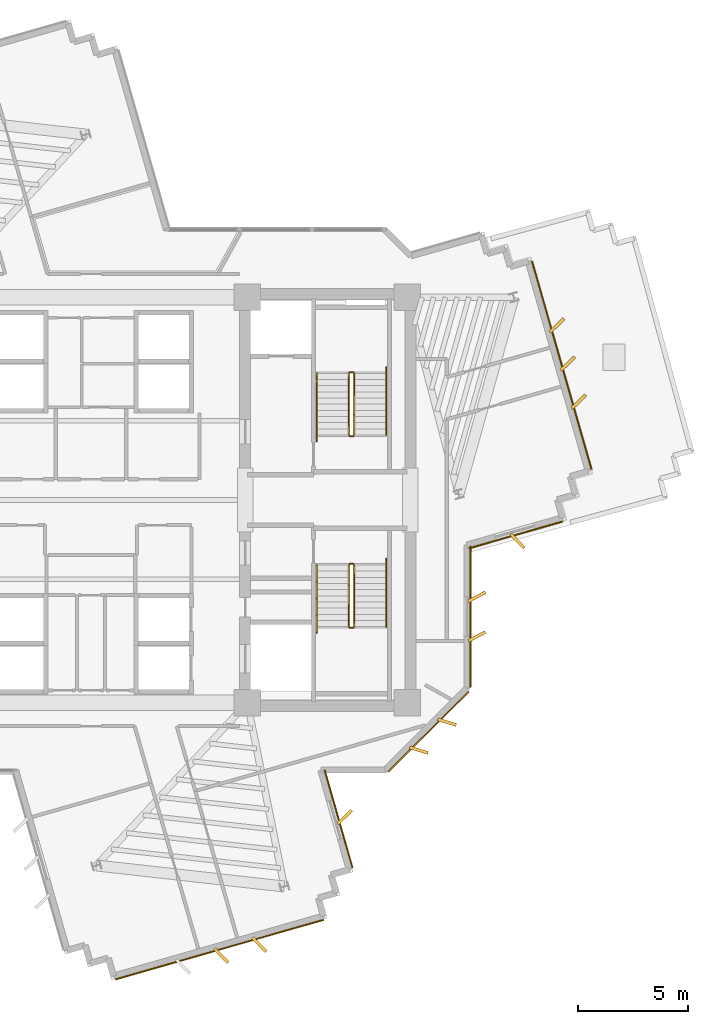
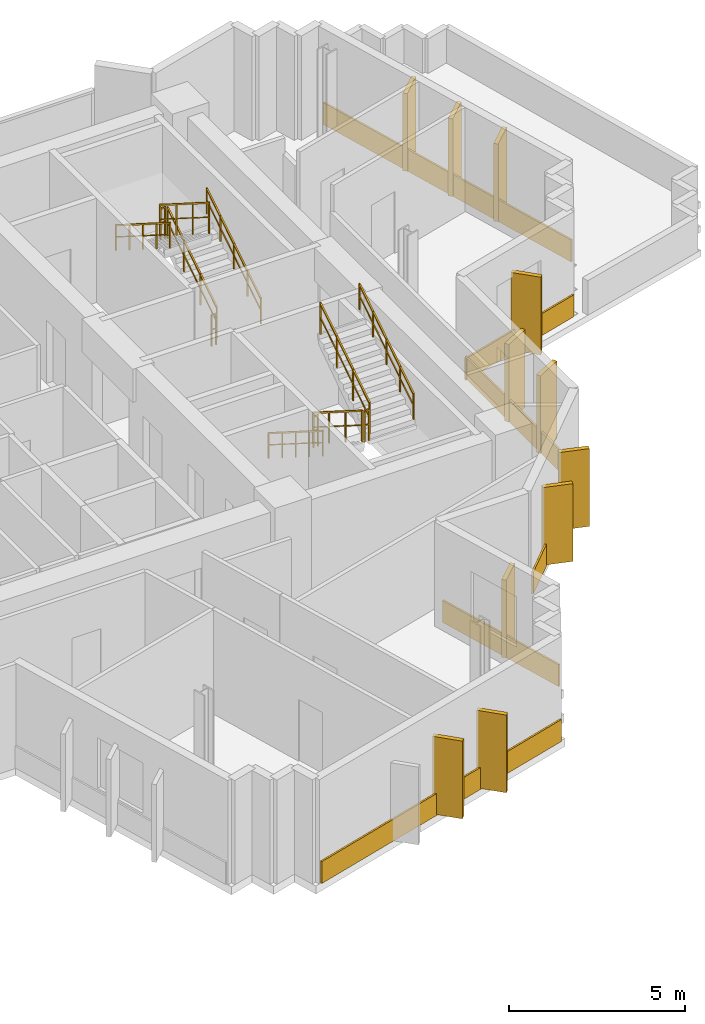
# One storey, part 13 of 14: 17 coverings, 12 railings.
"""IFC4 building model written with IfcOpenShell, lengths in metres."""

from ifc_helpers import new_model, si_unit, direction, frame, origin, origin_2d, place, context, subcontext, project, spatial, rectangle, extrude, source, transform, mapped, material, layer, layer_set, type_object, element, save


model = new_model("IFC4")

# Units and contexts
model_context = context("Model", 3, precision=1e-05, world=origin(), true_north=direction((0.0, 1.0)))
body_context = subcontext(model_context, "Body", "Model", "MODEL_VIEW")
ifc_project = project(units=[si_unit("LENGTHUNIT", "METRE"), si_unit("AREAUNIT", "SQUARE_METRE"), si_unit("VOLUMEUNIT", "CUBIC_METRE"), si_unit("PLANEANGLEUNIT", "RADIAN"), si_unit("MASSUNIT", "GRAM", prefix="KILO")], contexts=[model_context])

# Site, building, storey
site_placement = place(None, origin())
site = spatial("IfcSite", under=ifc_project, at=site_placement, CompositionType="ELEMENT")
building_placement = place(site_placement, origin())
building = spatial("IfcBuilding", under=site, at=building_placement, Name="Zahravan Cultural Tower", CompositionType="ELEMENT")
storey_placement = place(building_placement, frame((0.0, 0.0, 201.89990234375)))
storey = spatial("IfcBuildingStorey", under=building, at=storey_placement, Name="L47", CompositionType="ELEMENT", Elevation=201.89990234375)

# Railings
ifc_material_1 = material(Name="Steel ASTM A572 Grade 50", Category="steel")
railing_type_1 = type_object("IfcRailingType", Name="RL-STAIR-GRD1150", PredefinedType="BALUSTRADE", material=ifc_material_1)
railing_1_placement = place(storey_placement, frame((47.949951171875, 29.949951171875, 0.177490234375)))
element("IfcRailing", 1, at=railing_1_placement, inside=storey, type_object=railing_type_1, Name="L47 ST-E1 stair guard 1", PredefinedType="BALUSTRADE", context=body_context, shape_type="SweptSolid", body=[
    extrude(rectangle(XDim=0.05, YDim=0.05, at=origin_2d()), frame((0.0, 0.0, 1.0751953125), z_axis=(0.0, 0.844908973607, 0.534910110503), x_axis=(-1.0, 0.0, 0.0)), (0.0, 0.0, 1.0), 3.31396484375),
    extrude(rectangle(XDim=0.032, YDim=0.032, at=origin_2d()), frame((0.0, 0.0, 0.572021484375), z_axis=(0.0, 0.844908973607, 0.534910110503), x_axis=(-1.0, 0.0, 0.0)), (0.0, 0.0, 1.0), 3.31396484375),
    extrude(rectangle(XDim=0.04, YDim=0.04, at=origin_2d()), origin(), (0.0, 0.0, 1.0), 1.10009765625),
    extrude(rectangle(XDim=0.04, YDim=0.04, at=origin_2d()), frame((0.0, 0.933349609375, 0.5908203125)), (0.0, 0.0, 1.0), 1.10009765625),
    extrude(rectangle(XDim=0.04, YDim=0.04, at=origin_2d()), frame((0.0, 1.86669921875, 1.181884765625)), (0.0, 0.0, 1.0), 1.10009765625),
    extrude(rectangle(XDim=0.04, YDim=0.04, at=origin_2d()), frame((0.0, 2.800048828125, 1.772705078125)), (0.0, 0.0, 1.0), 1.10009765625),
])
railing_2_placement = place(storey_placement, frame((47.89990234375, 32.800048828125, 1.9501953125)))
element("IfcRailing", 2, at=railing_2_placement, inside=storey, type_object=railing_type_1, Name="L47 ST-E1 stair guard 2", PredefinedType="BALUSTRADE", context=body_context, shape_type="SweptSolid", body=[
    extrude(rectangle(XDim=0.05, YDim=0.05, at=origin_2d()), frame((0.0, 0.0, 1.0751953125), z_axis=(-1.0, 0.0, 0.0), x_axis=(0.0, -1.0, 0.0)), (0.0, 0.0, 1.0), 0.14990234375),
    extrude(rectangle(XDim=0.032, YDim=0.032, at=origin_2d()), frame((0.0, 0.0, 0.572021484375), z_axis=(-1.0, 0.0, 0.0), x_axis=(0.0, -1.0, 0.0)), (0.0, 0.0, 1.0), 0.14990234375),
    extrude(rectangle(XDim=0.04, YDim=0.04, at=origin_2d()), origin(), (0.0, 0.0, 1.0), 1.10009765625),
    extrude(rectangle(XDim=0.04, YDim=0.04, at=origin_2d()), frame((-0.14990234375, 0.0, 0.0)), (0.0, 0.0, 1.0), 1.10009765625),
])
railing_3_placement = place(storey_placement, frame((47.699951171875, 32.75, 2.12744140625)))
element("IfcRailing", 3, at=railing_3_placement, inside=storey, type_object=railing_type_1, Name="L47 ST-E1 stair guard 3", PredefinedType="BALUSTRADE", context=body_context, shape_type="SweptSolid", body=[
    extrude(rectangle(XDim=0.05, YDim=0.05, at=origin_2d()), frame((0.0, 0.0, 1.0751953125), z_axis=(0.0, -0.844908973607, 0.534910110503), x_axis=(1.0, 0.0, 0.0)), (0.0, 0.0, 1.0), 3.31396484375),
    extrude(rectangle(XDim=0.032, YDim=0.032, at=origin_2d()), frame((0.0, 0.0, 0.572021484375), z_axis=(0.0, -0.844908973607, 0.534910110503), x_axis=(1.0, 0.0, 0.0)), (0.0, 0.0, 1.0), 3.31396484375),
    extrude(rectangle(XDim=0.04, YDim=0.04, at=origin_2d()), origin(), (0.0, 0.0, 1.0), 1.10009765625),
    extrude(rectangle(XDim=0.04, YDim=0.04, at=origin_2d()), frame((0.0, -0.933349609375, 0.5908203125)), (0.0, 0.0, 1.0), 1.10009765625),
    extrude(rectangle(XDim=0.04, YDim=0.04, at=origin_2d()), frame((0.0, -1.86669921875, 1.181884765625)), (0.0, 0.0, 1.0), 1.10009765625),
    extrude(rectangle(XDim=0.04, YDim=0.04, at=origin_2d()), frame((0.0, -2.800048828125, 1.772705078125)), (0.0, 0.0, 1.0), 1.10009765625),
])
railing_4_placement = place(storey_placement, frame((47.89990234375, 29.89990234375, 0.0)))
element("IfcRailing", 4, at=railing_4_placement, inside=storey, type_object=railing_type_1, Name="L47 ST-E1 stair guard 4", PredefinedType="BALUSTRADE", context=body_context, shape_type="SweptSolid", body=[
    extrude(rectangle(XDim=0.05, YDim=0.05, at=origin_2d()), frame((0.0, 0.0, 1.0751953125), z_axis=(-1.0, 0.0, 0.0), x_axis=(0.0, -1.0, 0.0)), (0.0, 0.0, 1.0), 0.14990234375),
    extrude(rectangle(XDim=0.032, YDim=0.032, at=origin_2d()), frame((0.0, 0.0, 0.572021484375), z_axis=(-1.0, 0.0, 0.0), x_axis=(0.0, -1.0, 0.0)), (0.0, 0.0, 1.0), 0.14990234375),
    extrude(rectangle(XDim=0.04, YDim=0.04, at=origin_2d()), origin(), (0.0, 0.0, 1.0), 1.10009765625),
    extrude(rectangle(XDim=0.04, YDim=0.04, at=origin_2d()), frame((-0.14990234375, 0.0, 0.0)), (0.0, 0.0, 1.0), 1.10009765625),
])
railing_5_placement = place(storey_placement, frame((47.699951171875, 24.050048828125, 0.177490234375)))
element("IfcRailing", 5, at=railing_5_placement, inside=storey, type_object=railing_type_1, Name="L47 ST-E2 stair guard 1", PredefinedType="BALUSTRADE", context=body_context, shape_type="SweptSolid", body=[
    extrude(rectangle(XDim=0.05, YDim=0.05, at=origin_2d()), frame((0.0, 0.0, 1.0751953125), z_axis=(0.0, -0.844908973607, 0.534910110503), x_axis=(1.0, 0.0, 0.0)), (0.0, 0.0, 1.0), 3.31396484375),
    extrude(rectangle(XDim=0.032, YDim=0.032, at=origin_2d()), frame((0.0, 0.0, 0.572021484375), z_axis=(0.0, -0.844908973607, 0.534910110503), x_axis=(1.0, 0.0, 0.0)), (0.0, 0.0, 1.0), 3.31396484375),
    extrude(rectangle(XDim=0.04, YDim=0.04, at=origin_2d()), origin(), (0.0, 0.0, 1.0), 1.10009765625),
    extrude(rectangle(XDim=0.04, YDim=0.04, at=origin_2d()), frame((0.0, -0.933349609375, 0.5908203125)), (0.0, 0.0, 1.0), 1.10009765625),
    extrude(rectangle(XDim=0.04, YDim=0.04, at=origin_2d()), frame((0.0, -1.86669921875, 1.181884765625)), (0.0, 0.0, 1.0), 1.10009765625),
    extrude(rectangle(XDim=0.04, YDim=0.04, at=origin_2d()), frame((0.0, -2.800048828125, 1.772705078125)), (0.0, 0.0, 1.0), 1.10009765625),
])
railing_6_placement = place(storey_placement, frame((47.75, 21.199951171875, 1.9501953125)))
element("IfcRailing", 6, at=railing_6_placement, inside=storey, type_object=railing_type_1, Name="L47 ST-E2 stair guard 2", PredefinedType="BALUSTRADE", context=body_context, shape_type="SweptSolid", body=[
    extrude(rectangle(XDim=0.05, YDim=0.05, at=origin_2d()), frame((0.0, 0.0, 1.0751953125), z_axis=(1.0, 0.0, 0.0), x_axis=(0.0, 1.0, 0.0)), (0.0, 0.0, 1.0), 0.14990234375),
    extrude(rectangle(XDim=0.032, YDim=0.032, at=origin_2d()), frame((0.0, 0.0, 0.572021484375), z_axis=(1.0, 0.0, 0.0), x_axis=(0.0, 1.0, 0.0)), (0.0, 0.0, 1.0), 0.14990234375),
    extrude(rectangle(XDim=0.04, YDim=0.04, at=origin_2d()), origin(), (0.0, 0.0, 1.0), 1.10009765625),
    extrude(rectangle(XDim=0.04, YDim=0.04, at=origin_2d()), frame((0.14990234375, 0.0, 0.0)), (0.0, 0.0, 1.0), 1.10009765625),
])
railing_7_placement = place(storey_placement, frame((47.949951171875, 21.25, 2.12744140625)))
element("IfcRailing", 7, at=railing_7_placement, inside=storey, type_object=railing_type_1, Name="L47 ST-E2 stair guard 3", PredefinedType="BALUSTRADE", context=body_context, shape_type="SweptSolid", body=[
    extrude(rectangle(XDim=0.05, YDim=0.05, at=origin_2d()), frame((0.0, 0.0, 1.0751953125), z_axis=(0.0, 0.844908973607, 0.534910110503), x_axis=(-1.0, 0.0, 0.0)), (0.0, 0.0, 1.0), 3.31396484375),
    extrude(rectangle(XDim=0.032, YDim=0.032, at=origin_2d()), frame((0.0, 0.0, 0.572021484375), z_axis=(0.0, 0.844908973607, 0.534910110503), x_axis=(-1.0, 0.0, 0.0)), (0.0, 0.0, 1.0), 3.31396484375),
    extrude(rectangle(XDim=0.04, YDim=0.04, at=origin_2d()), origin(), (0.0, 0.0, 1.0), 1.10009765625),
    extrude(rectangle(XDim=0.04, YDim=0.04, at=origin_2d()), frame((0.0, 0.933349609375, 0.5908203125)), (0.0, 0.0, 1.0), 1.10009765625),
    extrude(rectangle(XDim=0.04, YDim=0.04, at=origin_2d()), frame((0.0, 1.86669921875, 1.181884765625)), (0.0, 0.0, 1.0), 1.10009765625),
    extrude(rectangle(XDim=0.04, YDim=0.04, at=origin_2d()), frame((0.0, 2.800048828125, 1.772705078125)), (0.0, 0.0, 1.0), 1.10009765625),
])
railing_8_placement = place(storey_placement, frame((47.75, 24.10009765625, 0.0)))
element("IfcRailing", 8, at=railing_8_placement, inside=storey, type_object=railing_type_1, Name="L47 ST-E2 stair guard 4", PredefinedType="BALUSTRADE", context=body_context, shape_type="SweptSolid", body=[
    extrude(rectangle(XDim=0.05, YDim=0.05, at=origin_2d()), frame((0.0, 0.0, 1.0751953125), z_axis=(1.0, 0.0, 0.0), x_axis=(0.0, 1.0, 0.0)), (0.0, 0.0, 1.0), 0.14990234375),
    extrude(rectangle(XDim=0.032, YDim=0.032, at=origin_2d()), frame((0.0, 0.0, 0.572021484375), z_axis=(1.0, 0.0, 0.0), x_axis=(0.0, 1.0, 0.0)), (0.0, 0.0, 1.0), 0.14990234375),
    extrude(rectangle(XDim=0.04, YDim=0.04, at=origin_2d()), origin(), (0.0, 0.0, 1.0), 1.10009765625),
    extrude(rectangle(XDim=0.04, YDim=0.04, at=origin_2d()), frame((0.14990234375, 0.0, 0.0)), (0.0, 0.0, 1.0), 1.10009765625),
])
railing_type_2 = type_object("IfcRailingType", Name="RL-STAIR-HR900", PredefinedType="HANDRAIL", material=ifc_material_1)
railing_9_placement = place(storey_placement, frame((49.39990234375, 29.949951171875, 0.177490234375)))
element("IfcRailing", 9, at=railing_9_placement, inside=storey, type_object=railing_type_2, Name="L47 ST-E1 stair handrail 1", PredefinedType="HANDRAIL", context=body_context, shape_type="SweptSolid", body=[
    extrude(rectangle(XDim=0.05, YDim=0.05, at=origin_2d()), frame((0.0, 0.0, 0.875), z_axis=(0.0, 0.844913916606, 0.534902302785), x_axis=(-1.0, 0.0, 0.0)), (0.0, 0.0, 1.0), 3.6455078125),
    extrude(rectangle(XDim=0.032, YDim=0.032, at=origin_2d()), frame((0.0, 0.0, 0.468017578125), z_axis=(0.0, 0.844913916606, 0.534902302785), x_axis=(-1.0, 0.0, 0.0)), (0.0, 0.0, 1.0), 3.6455078125),
    extrude(rectangle(XDim=0.04, YDim=0.04, at=origin_2d()), origin(), (0.0, 0.0, 1.0), 0.89990234375),
    extrude(rectangle(XDim=0.04, YDim=0.04, at=origin_2d()), frame((0.0, 0.77001953125, 0.487548828125)), (0.0, 0.0, 1.0), 0.89990234375),
    extrude(rectangle(XDim=0.04, YDim=0.04, at=origin_2d()), frame((0.0, 1.5400390625, 0.97509765625)), (0.0, 0.0, 1.0), 0.89990234375),
    extrude(rectangle(XDim=0.04, YDim=0.04, at=origin_2d()), frame((0.0, 2.31005859375, 1.46240234375)), (0.0, 0.0, 1.0), 0.89990234375),
    extrude(rectangle(XDim=0.04, YDim=0.04, at=origin_2d()), frame((0.0, 3.080078125, 1.949951171875)), (0.0, 0.0, 1.0), 0.89990234375),
])
for number, where, name in (
    (10, (46.25, 32.75, 2.12744140625), "L47 ST-E1 stair handrail 2"),
    (11, (46.25, 24.050048828125, 0.177490234375), "L47 ST-E2 stair handrail 1"),
):
    element("IfcRailing", number, at=place(storey_placement, frame(where)), inside=storey, type_object=railing_type_2, Name=name, PredefinedType="HANDRAIL", context=body_context, shape_type="SweptSolid", body=[
        extrude(rectangle(XDim=0.05, YDim=0.05, at=origin_2d()), frame((0.0, 0.0, 0.875), z_axis=(0.0, -0.844913916606, 0.534902302785), x_axis=(1.0, 0.0, 0.0)), (0.0, 0.0, 1.0), 3.6455078125),
        extrude(rectangle(XDim=0.032, YDim=0.032, at=origin_2d()), frame((0.0, 0.0, 0.468017578125), z_axis=(0.0, -0.844913916606, 0.534902302785), x_axis=(1.0, 0.0, 0.0)), (0.0, 0.0, 1.0), 3.6455078125),
        extrude(rectangle(XDim=0.04, YDim=0.04, at=origin_2d()), origin(), (0.0, 0.0, 1.0), 0.89990234375),
        extrude(rectangle(XDim=0.04, YDim=0.04, at=origin_2d()), frame((0.0, -0.77001953125, 0.487548828125)), (0.0, 0.0, 1.0), 0.89990234375),
        extrude(rectangle(XDim=0.04, YDim=0.04, at=origin_2d()), frame((0.0, -1.5400390625, 0.97509765625)), (0.0, 0.0, 1.0), 0.89990234375),
        extrude(rectangle(XDim=0.04, YDim=0.04, at=origin_2d()), frame((0.0, -2.31005859375, 1.46240234375)), (0.0, 0.0, 1.0), 0.89990234375),
        extrude(rectangle(XDim=0.04, YDim=0.04, at=origin_2d()), frame((0.0, -3.080078125, 1.949951171875)), (0.0, 0.0, 1.0), 0.89990234375),
    ])
railing_10_placement = place(storey_placement, frame((49.39990234375, 21.25, 2.12744140625)))
element("IfcRailing", 12, at=railing_10_placement, inside=storey, type_object=railing_type_2, Name="L47 ST-E2 stair handrail 2", PredefinedType="HANDRAIL", context=body_context, shape_type="SweptSolid", body=[
    extrude(rectangle(XDim=0.05, YDim=0.05, at=origin_2d()), frame((0.0, 0.0, 0.875), z_axis=(0.0, 0.844913916606, 0.534902302785), x_axis=(-1.0, 0.0, 0.0)), (0.0, 0.0, 1.0), 3.6455078125),
    extrude(rectangle(XDim=0.032, YDim=0.032, at=origin_2d()), frame((0.0, 0.0, 0.468017578125), z_axis=(0.0, 0.844913916606, 0.534902302785), x_axis=(-1.0, 0.0, 0.0)), (0.0, 0.0, 1.0), 3.6455078125),
    extrude(rectangle(XDim=0.04, YDim=0.04, at=origin_2d()), origin(), (0.0, 0.0, 1.0), 0.89990234375),
    extrude(rectangle(XDim=0.04, YDim=0.04, at=origin_2d()), frame((0.0, 0.77001953125, 0.487548828125)), (0.0, 0.0, 1.0), 0.89990234375),
    extrude(rectangle(XDim=0.04, YDim=0.04, at=origin_2d()), frame((0.0, 1.5400390625, 0.97509765625)), (0.0, 0.0, 1.0), 0.89990234375),
    extrude(rectangle(XDim=0.04, YDim=0.04, at=origin_2d()), frame((0.0, 2.31005859375, 1.46240234375)), (0.0, 0.0, 1.0), 0.89990234375),
    extrude(rectangle(XDim=0.04, YDim=0.04, at=origin_2d()), frame((0.0, 3.080078125, 1.949951171875)), (0.0, 0.0, 1.0), 0.89990234375),
])

# Coverings
ifc_material_2 = material(Name="Terracotta ceramic cladding", Category="masonry")
ifc_layer = layer(ifc_material_2, 0.06005859375)
ifc_layer_set = layer_set([ifc_layer], Name="Terracotta ceramic cladding")
covering_type = type_object("IfcCoveringType", Name="COV-CLAD-TC60", PredefinedType="CLADDING", material=ifc_layer_set)
shared_shape_1 = source(origin(), body_context, "Body", "SweptSolid", [
    extrude(rectangle(XDim=9.820068359375, YDim=0.06005859375, at=origin_2d()), origin(), (0.0, 0.0, 1.0), 0.760009765625),
])
for number, where, z_axis, x_axis, name in (
    (13, (57.368408203125, 33.111083984375, 0.02001953125), (0.0, 0.0, 1.0), (0.274966201438, -0.961453892845, 0.0), "L47 Terracotta Spandrel Cladding 06"),
    (14, (41.836181640625, 6.593017578125, 0.02001953125), (0.0, 0.0, 1.0), (-0.961453892845, -0.274966201438, 0.0), "L47 Terracotta Spandrel Cladding 20"),
):
    element("IfcCovering", number, at=place(storey_placement, frame(where, z_axis=z_axis, x_axis=x_axis)), inside=storey, type_object=covering_type, Name=name, PredefinedType="CLADDING", context=body_context, shape_type="MappedRepresentation", body=[
        mapped(shared_shape_1, transform((0.0, 0.0, 0.0), x_axis=(1.0, 0.0, 0.0), y_axis=(0.0, 1.0, 0.0), z_axis=(0.0, 0.0, 1.0), scale=1.0)),
    ])
shared_shape_2 = source(origin(), body_context, "Body", "SweptSolid", [
    extrude(rectangle(XDim=5.157958984375, YDim=0.06005859375, at=origin_2d()), origin(), (0.0, 0.0, 1.0), 0.760009765625),
])
covering_1_placement = place(storey_placement, frame((51.317626953125, 16.482421875, 0.02001953125), z_axis=(0.0, 0.0, 1.0), x_axis=(-0.707106781187, -0.707106781187, 0.0)))
element("IfcCovering", 15, at=covering_1_placement, inside=storey, type_object=covering_type, Name="L47 Terracotta Spandrel Cladding 13", PredefinedType="CLADDING", context=body_context, shape_type="MappedRepresentation", body=[
    mapped(shared_shape_2, transform((0.0, 0.0, 0.0), x_axis=(1.0, 0.0, 0.0), y_axis=(0.0, 1.0, 0.0), z_axis=(0.0, 0.0, 1.0), scale=1.0)),
])
shared_shape_3 = source(origin(), body_context, "Body", "SweptSolid", [
    extrude(rectangle(XDim=0.8798828125, YDim=0.139892578125, at=origin_2d()), origin(), (0.0, 0.0, 1.0), 2.699951171875),
])
for number, where, z_axis, x_axis, name in (
    (16, (57.1474609375, 34.920166015625, 0.05029296875), (0.0, 0.0, 1.0), (0.71982458803, 0.694156007298, 0.0), "L47 Herringbone Terracotta Fin 01"),
    (17, (57.642333984375, 33.189453125, 0.05029296875), (0.0, 0.0, 1.0), (0.71982458803, 0.694156007298, 0.0), "L47 Herringbone Terracotta Fin 02"),
    (18, (58.13720703125, 31.458984375, 0.05029296875), (0.0, 0.0, 1.0), (0.71982458803, 0.694156007298, 0.0), "L47 Herringbone Terracotta Fin 03"),
    (19, (55.35693359375, 25.140869140625, 0.05029296875), (0.0, 0.0, 1.0), (0.694143443883, -0.719836703228, 0.0), "L47 Herringbone Terracotta Fin 04"),
    (20, (53.510009765625, 22.60498046875, 0.05029296875), (0.0, 0.0, 1.0), (0.882947592859, 0.469471562786, 0.0), "L47 Herringbone Terracotta Fin 05"),
    (21, (53.510009765625, 20.804931640625, 0.05029296875), (0.0, 0.0, 1.0), (0.882947592859, 0.469471562786, 0.0), "L47 Herringbone Terracotta Fin 06"),
    (22, (52.155517578125, 16.917236328125, 0.05029296875), (0.0, 0.0, 1.0), (0.956304755963, -0.292371704723, 0.0), "L47 Herringbone Terracotta Fin 07"),
    (23, (50.8828125, 15.644287109375, 0.05029296875), (0.0, 0.0, 1.0), (0.956304755963, -0.292371704723, 0.0), "L47 Herringbone Terracotta Fin 08"),
    (24, (47.5126953125, 12.6025390625, 0.05029296875), (0.0, 0.0, 1.0), (0.71982458803, 0.694156007298, 0.0), "L47 Herringbone Terracotta Fin 09"),
    (25, (43.645263671875, 6.81396484375, 0.05029296875), (0.0, 0.0, 1.0), (0.694156007298, -0.71982458803, 0.0), "L47 Herringbone Terracotta Fin 10"),
    (26, (41.91455078125, 6.319091796875, 0.05029296875), (0.0, 0.0, 1.0), (0.694156007298, -0.71982458803, 0.0), "L47 Herringbone Terracotta Fin 11"),
):
    element("IfcCovering", number, at=place(storey_placement, frame(where, z_axis=z_axis, x_axis=x_axis)), inside=storey, type_object=covering_type, Name=name, PredefinedType="CLADDING", context=body_context, shape_type="MappedRepresentation", body=[
        mapped(shared_shape_3, transform((0.0, 0.0, 0.0), x_axis=(1.0, 0.0, 0.0), y_axis=(0.0, 1.0, 0.0), z_axis=(0.0, 0.0, 1.0), scale=1.0)),
    ])
shared_shape_4 = source(origin(), body_context, "Body", "SweptSolid", [
    extrude(rectangle(XDim=4.420654296875, YDim=0.06005859375, at=origin_2d()), origin(), (0.0, 0.0, 1.0), 0.760009765625),
])
covering_2_placement = place(storey_placement, frame((55.278564453125, 25.414794921875, 0.02001953125), z_axis=(0.0, 0.0, 1.0), x_axis=(-0.961458691764, -0.27494942086, 0.0)))
element("IfcCovering", 27, at=covering_2_placement, inside=storey, type_object=covering_type, Name="L47 Terracotta Spandrel Cladding 11", PredefinedType="CLADDING", context=body_context, shape_type="MappedRepresentation", body=[
    mapped(shared_shape_4, transform((0.0, 0.0, 0.0), x_axis=(1.0, 0.0, 0.0), y_axis=(0.0, 1.0, 0.0), z_axis=(0.0, 0.0, 1.0), scale=1.0)),
])
shared_shape_5 = source(origin(), body_context, "Body", "SweptSolid", [
    extrude(rectangle(XDim=6.39404296875, YDim=0.06005859375, at=origin_2d()), origin(), (0.0, 0.0, 1.0), 0.760009765625),
])
covering_3_placement = place(storey_placement, frame((53.22509765625, 21.705078125, 0.02001953125), z_axis=(0.0, 0.0, 1.0), x_axis=(0.0, -1.0, 0.0)))
element("IfcCovering", 28, at=covering_3_placement, inside=storey, type_object=covering_type, Name="L47 Terracotta Spandrel Cladding 12", PredefinedType="CLADDING", context=body_context, shape_type="MappedRepresentation", body=[
    mapped(shared_shape_5, transform((0.0, 0.0, 0.0), x_axis=(1.0, 0.0, 0.0), y_axis=(0.0, 1.0, 0.0), z_axis=(0.0, 0.0, 1.0), scale=1.0)),
])
shared_shape_6 = source(origin(), body_context, "Body", "SweptSolid", [
    extrude(rectangle(XDim=4.603759765625, YDim=0.06005859375, at=origin_2d()), origin(), (0.0, 0.0, 1.0), 0.760009765625),
])
covering_4_placement = place(storey_placement, frame((47.238525390625, 12.524169921875, 0.02001953125), z_axis=(0.0, 0.0, 1.0), x_axis=(0.274966201438, -0.961453892845, 0.0)))
element("IfcCovering", 29, at=covering_4_placement, inside=storey, type_object=covering_type, Name="L47 Terracotta Spandrel Cladding 15", PredefinedType="CLADDING", context=body_context, shape_type="MappedRepresentation", body=[
    mapped(shared_shape_6, transform((0.0, 0.0, 0.0), x_axis=(1.0, 0.0, 0.0), y_axis=(0.0, 1.0, 0.0), z_axis=(0.0, 0.0, 1.0), scale=1.0)),
])

save(model, "model.ifc")
